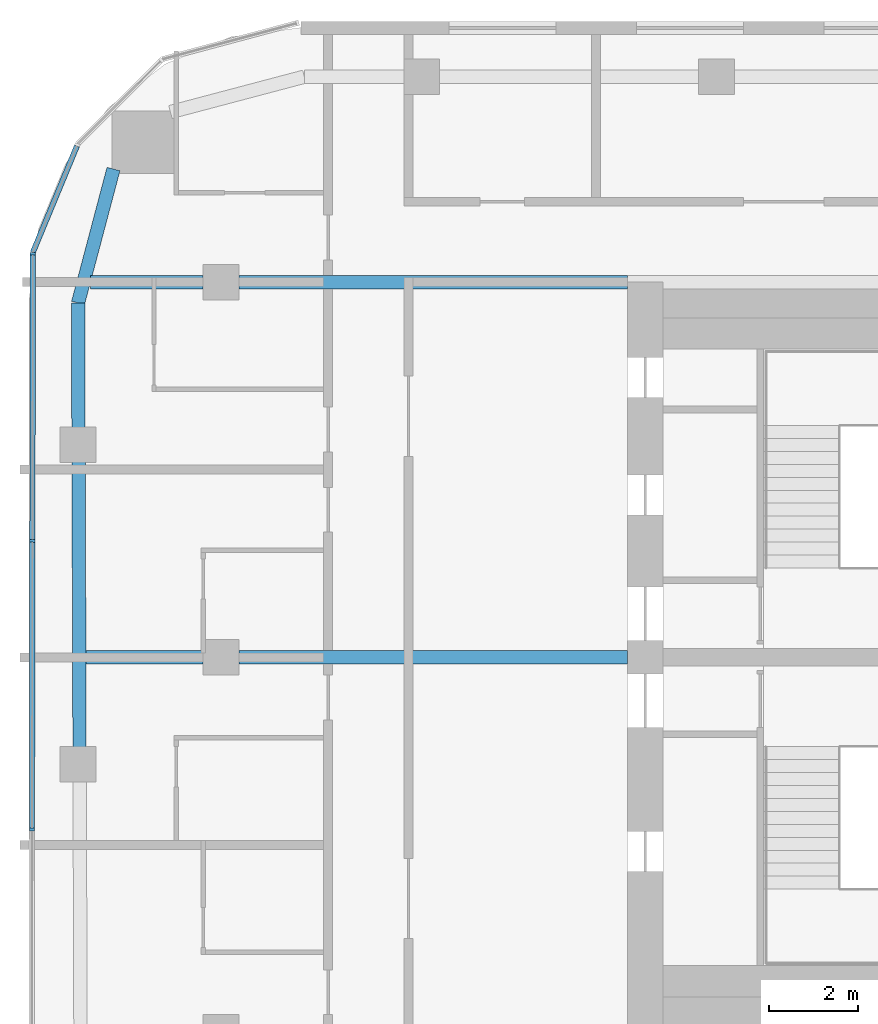
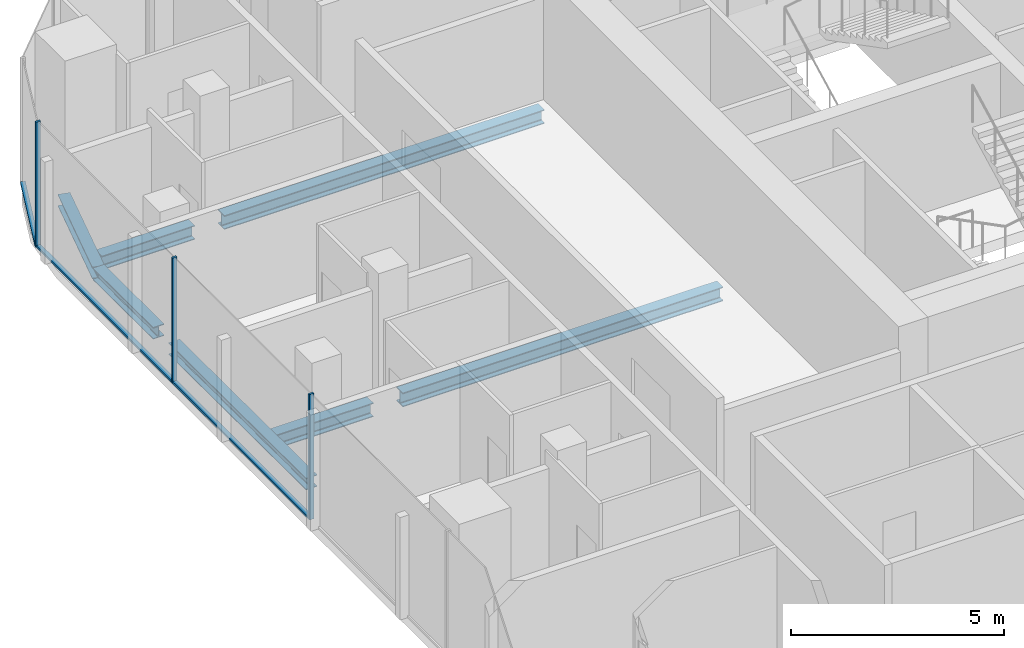
# One storey, part 8 of 22: 7 beams, 6 members, 2 elements without a shape of their own.
"""IFC4 building model written with IfcOpenShell, lengths in metres."""

from ifc_helpers import new_model, si_unit, direction, frame, origin, origin_2d, place, context, subcontext, project, spatial, rectangle, i_section, extrude, material, layer, layer_set, material_profile, profile_set, type_object, element, aggregate, save


model = new_model("IFC4")

# Units and contexts
model_context = context("Model", 3, precision=1e-05, world=origin(), true_north=direction((0.0, 1.0)))
body_context = subcontext(model_context, "Body", "Model", "MODEL_VIEW")
ifc_project = project(units=[si_unit("LENGTHUNIT", "METRE"), si_unit("AREAUNIT", "SQUARE_METRE"), si_unit("VOLUMEUNIT", "CUBIC_METRE"), si_unit("PLANEANGLEUNIT", "RADIAN"), si_unit("MASSUNIT", "GRAM", prefix="KILO")], contexts=[model_context])

# Site, building, storey
site_placement = place(None, origin())
site = spatial("IfcSite", under=ifc_project, at=site_placement, CompositionType="ELEMENT")
building_placement = place(site_placement, origin())
building = spatial("IfcBuilding", under=site, at=building_placement, Name="Marenta Gate Hotel Tower", CompositionType="ELEMENT")
storey_placement = place(building_placement, frame((0.0, 0.0, 187.699951171875)))
storey = spatial("IfcBuildingStorey", under=building, at=storey_placement, Name="L42", CompositionType="ELEMENT", Elevation=187.699951171875)

# Beams
ifc_material_1 = material(Name="Steel S355", Category="steel")
ifc_material_profile_1 = material_profile(ifc_material_1, i_section(OverallWidth=0.300048828125, OverallDepth=0.340087890625, WebThickness=0.011962890625, FlangeThickness=0.021484375, FilletRadius=0.027099609375, at=origin_2d()), Name="HEB 340")
ifc_profile_set_1 = profile_set([ifc_material_profile_1], Name="Steel S355")
beam_type_1 = type_object("IfcBeamType", Name="Edge beam HEB 340", PredefinedType="SPANDREL", material=ifc_profile_set_1)
beam_1_placement = place(storey_placement, frame((-24.166748046875, 6.36328125, -0.429931640625), z_axis=(-0.00333963982, 0.999994423387, 0.0), x_axis=(-0.999994423387, -0.00333963982, 0.0)))
element("IfcBeam", 1, at=beam_1_placement, inside=storey, type_object=beam_type_1, Name="L42-EB-9", PredefinedType="SPANDREL", context=body_context, shape_type="SweptSolid", body=[
    extrude(i_section(OverallWidth=0.300048828125, OverallDepth=0.340087890625, WebThickness=0.011962890625, FlangeThickness=0.021484375, FilletRadius=0.027099609375, at=origin_2d()), origin(), (0.0, 0.0, 1.0), 6.43310546875),
])
beam_2_placement = place(storey_placement, frame((-24.190673828125, 13.516357421875, -0.429931640625), z_axis=(-0.003292020626, 0.999994581285, 0.0), x_axis=(-0.999994581285, -0.003292020626, 0.0)))
element("IfcBeam", 2, at=beam_2_placement, inside=storey, type_object=beam_type_1, Name="L42-EB-10", PredefinedType="SPANDREL", context=body_context, shape_type="SweptSolid", body=[
    extrude(i_section(OverallWidth=0.300048828125, OverallDepth=0.340087890625, WebThickness=0.011962890625, FlangeThickness=0.021484375, FilletRadius=0.027099609375, at=origin_2d()), origin(), (0.0, 0.0, 1.0), 2.818115234375),
])
beam_3_placement = place(storey_placement, frame((-24.199951171875, 16.33447265625, -0.429931640625), z_axis=(0.255648013319, 0.966769927794, 0.0), x_axis=(-0.966769927794, 0.255648013319, 0.0)))
element("IfcBeam", 3, at=beam_3_placement, inside=storey, type_object=beam_type_1, Name="L42-EB-11", PredefinedType="SPANDREL", context=body_context, shape_type="SweptSolid", body=[
    extrude(i_section(OverallWidth=0.300048828125, OverallDepth=0.340087890625, WebThickness=0.011962890625, FlangeThickness=0.021484375, FilletRadius=0.027099609375, at=origin_2d()), origin(), (0.0, 0.0, 1.0), 3.100830078125),
])
ifc_material_2 = material(Name="Steel S355", Category="steel")
ifc_material_profile_2 = material_profile(ifc_material_2, i_section(OverallWidth=0.300048828125, OverallDepth=0.39990234375, WebThickness=0.013427734375, FlangeThickness=0.02392578125, FilletRadius=0.027099609375, at=origin_2d()), Name="HEB 400")
ifc_profile_set_2 = profile_set([ifc_material_profile_2], Name="Steel S355")
beam_type_2 = type_object("IfcBeamType", Name="Girder HEB 400", PredefinedType="BEAM", material=ifc_profile_set_2)
beam_4_placement = place(storey_placement, frame((-24.023681640625, 8.39990234375, -0.4599609375), z_axis=(1.0, 0.0, 0.0), x_axis=(0.0, 1.0, 0.0)))
element("IfcBeam", 4, at=beam_4_placement, inside=storey, type_object=beam_type_2, Name="L42-GD-25", PredefinedType="BEAM", context=body_context, shape_type="SweptSolid", body=[
    extrude(i_section(OverallWidth=0.300048828125, OverallDepth=0.39990234375, WebThickness=0.013427734375, FlangeThickness=0.02392578125, FilletRadius=0.027099609375, at=origin_2d()), origin(), (0.0, 0.0, 1.0), 2.623779296875),
])
beam_5_placement = place(storey_placement, frame((-20.60009765625, 8.39990234375, -0.4599609375), z_axis=(1.0, 0.0, 0.0), x_axis=(0.0, 1.0, 0.0)))
element("IfcBeam", 5, at=beam_5_placement, inside=storey, type_object=beam_type_2, Name="L42-GD-26", PredefinedType="BEAM", context=body_context, shape_type="SweptSolid", body=[
    extrude(i_section(OverallWidth=0.300048828125, OverallDepth=0.39990234375, WebThickness=0.013427734375, FlangeThickness=0.02392578125, FilletRadius=0.027099609375, at=origin_2d()), origin(), (0.0, 0.0, 1.0), 8.7001953125),
])
beam_6_placement = place(storey_placement, frame((-23.921630859375, 16.800048828125, -0.4599609375), z_axis=(1.0, 0.0, 0.0), x_axis=(0.0, 1.0, 0.0)))
element("IfcBeam", 6, at=beam_6_placement, inside=storey, type_object=beam_type_2, Name="L42-GD-29", PredefinedType="BEAM", context=body_context, shape_type="SweptSolid", body=[
    extrude(i_section(OverallWidth=0.300048828125, OverallDepth=0.39990234375, WebThickness=0.013427734375, FlangeThickness=0.02392578125, FilletRadius=0.027099609375, at=origin_2d()), origin(), (0.0, 0.0, 1.0), 2.521728515625),
])
beam_7_placement = place(storey_placement, frame((-20.60009765625, 16.800048828125, -0.4599609375), z_axis=(1.0, 0.0, 0.0), x_axis=(0.0, 1.0, 0.0)))
element("IfcBeam", 7, at=beam_7_placement, inside=storey, type_object=beam_type_2, Name="L42-GD-30", PredefinedType="BEAM", context=body_context, shape_type="SweptSolid", body=[
    extrude(i_section(OverallWidth=0.300048828125, OverallDepth=0.39990234375, WebThickness=0.013427734375, FlangeThickness=0.02392578125, FilletRadius=0.027099609375, at=origin_2d()), origin(), (0.0, 0.0, 1.0), 8.7001953125),
])

# Curtain wall, members
ifc_material_3 = material(Name="Tinted insulated glass in bronze anodised frame", Category="glass")
ifc_layer = layer(ifc_material_3, 0.1201171875)
ifc_layer_set = layer_set([ifc_layer], Name="Tinted insulated glass in bronze anodised frame")
curtain_wall_type = type_object("IfcCurtainWallType", Name="Tower unitised curtain wall CW1", PredefinedType="NOTDEFINED", material=ifc_layer_set)
curtain_wall_1_placement = place(storey_placement, origin())
curtain_wall_1 = element("IfcCurtainWall", 8, at=curtain_wall_1_placement, inside=storey, type_object=curtain_wall_type, Name="CW1 run G03", PredefinedType="NOTDEFINED")
ifc_material_4 = material(Name="Bronze anodised aluminium", Category="aluminium")
ifc_material_profile_3 = material_profile(ifc_material_4, rectangle(XDim=0.1201171875, YDim=0.06005859375, at=origin_2d()), Name="Mullion CW1 60x120 bronze anodised aluminium")
ifc_profile_set_3 = profile_set([ifc_material_profile_3], Name="Bronze anodised aluminium")
member_type_1 = type_object("IfcMemberType", Name="Mullion CW1 60x120 bronze anodised aluminium", PredefinedType="MULLION", material=ifc_profile_set_3)
member_1_placement = place(storey_placement, frame((-25.21240234375, 17.436279296875, 0.0), z_axis=(0.0, 0.0, 1.0), x_axis=(0.99999877375, -0.001566045546, 0.0)))
member_1 = element("IfcMember", 9, at=member_1_placement, type_object=member_type_1, Name="CW1 mullion 1", PredefinedType="MULLION", context=body_context, shape_type="SweptSolid", body=[
    extrude(rectangle(XDim=0.1201171875, YDim=0.06005859375, at=origin_2d()), origin(), (0.0, 0.0, 1.0), 3.60009765625),
])
member_2_placement = place(storey_placement, frame((-25.222412109375, 11.006103515625, 0.0), z_axis=(0.0, 0.0, 1.0), x_axis=(0.99999877375, -0.001566045546, 0.0)))
member_2 = element("IfcMember", 10, at=member_2_placement, type_object=member_type_1, Name="CW1 mullion 2", PredefinedType="MULLION", context=body_context, shape_type="SweptSolid", body=[
    extrude(rectangle(XDim=0.1201171875, YDim=0.06005859375, at=origin_2d()), origin(), (0.0, 0.0, 1.0), 3.60009765625),
])
member_3_placement = place(storey_placement, frame((-25.232421875, 4.546142578125, 0.0), z_axis=(0.0, 0.0, 1.0), x_axis=(0.99999877375, -0.001566045546, 0.0)))
member_3 = element("IfcMember", 11, at=member_3_placement, type_object=member_type_1, Name="CW1 mullion 3", PredefinedType="MULLION", context=body_context, shape_type="SweptSolid", body=[
    extrude(rectangle(XDim=0.1201171875, YDim=0.06005859375, at=origin_2d()), origin(), (0.0, 0.0, 1.0), 3.60009765625),
])

# Curtain wall, member
curtain_wall_2_placement = place(storey_placement, origin())
curtain_wall_2 = element("IfcCurtainWall", 12, at=curtain_wall_2_placement, inside=storey, type_object=curtain_wall_type, Name="CW1 run G02", PredefinedType="NOTDEFINED")
ifc_material_5 = material(Name="Bronze anodised aluminium", Category="aluminium")
ifc_material_profile_4 = material_profile(ifc_material_5, rectangle(XDim=0.1201171875, YDim=0.06005859375, at=origin_2d()), Name="Transom CW1 60x120 bronze anodised aluminium")
ifc_profile_set_4 = profile_set([ifc_material_profile_4], Name="Bronze anodised aluminium")
member_type_2 = type_object("IfcMemberType", Name="Transom CW1 60x120 bronze anodised aluminium", PredefinedType="USERDEFINED", material=ifc_profile_set_4)
member_4_placement = place(storey_placement, frame((-24.2265625, 19.845947265625, 0.030029296875), z_axis=(-0.382736860682, -0.923857399968, 0.0), x_axis=(0.923857399968, -0.382736860682, 0.0)))
member_4 = element("IfcMember", 13, at=member_4_placement, type_object=member_type_2, Name="CW1 transom 1.1", ObjectType="TRANSOM", PredefinedType="USERDEFINED", context=body_context, shape_type="SweptSolid", body=[
    extrude(rectangle(XDim=0.1201171875, YDim=0.06005859375, at=origin_2d()), origin(), (0.0, 0.0, 1.0), 2.57568359375),
])
aggregate(curtain_wall_2, [member_4])

# Member
member_5_placement = place(storey_placement, frame((-25.21240234375, 17.40625, 0.030029296875), z_axis=(-0.00157136093, -0.999998765412, 0.0), x_axis=(0.999998765412, -0.00157136093, 0.0)))
member_5 = element("IfcMember", 14, at=member_5_placement, type_object=member_type_2, Name="CW1 transom 1.1", ObjectType="TRANSOM", PredefinedType="USERDEFINED", context=body_context, shape_type="SweptSolid", body=[
    extrude(rectangle(XDim=0.1201171875, YDim=0.06005859375, at=origin_2d()), origin(), (0.0, 0.0, 1.0), 6.3701171875),
])

member_6_placement = place(storey_placement, frame((-25.222412109375, 10.976318359375, 0.030029296875), z_axis=(-0.001563988169, -0.99999877697, 0.0), x_axis=(0.99999877697, -0.001563988169, 0.0)))
member_6 = element("IfcMember", 15, at=member_6_placement, type_object=member_type_2, Name="CW1 transom 2.1", ObjectType="TRANSOM", PredefinedType="USERDEFINED", context=body_context, shape_type="SweptSolid", body=[
    extrude(rectangle(XDim=0.1201171875, YDim=0.06005859375, at=origin_2d()), origin(), (0.0, 0.0, 1.0), 6.400146484375),
])

aggregate(curtain_wall_1, [member_1, member_2, member_3, member_5, member_6])

save(model, "model.ifc")
